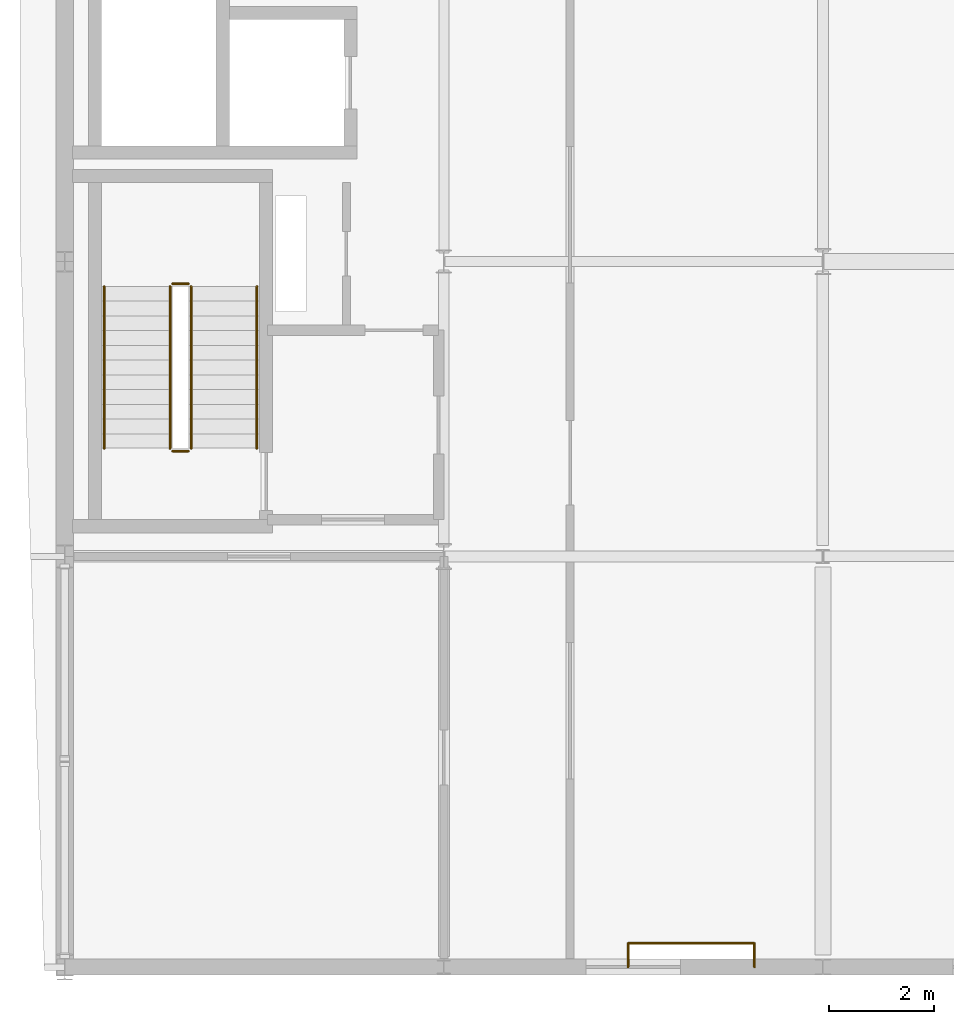
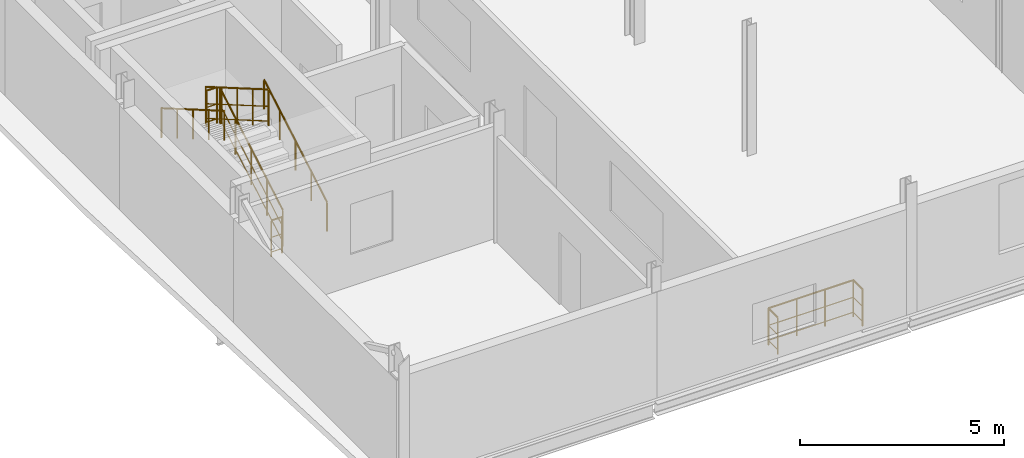
# One storey, part 16 of 17: 9 railings.
"""IFC4 building model written with IfcOpenShell, lengths in metres."""

from ifc_helpers import new_model, si_unit, direction, frame, origin, origin_2d, place, context, subcontext, project, spatial, circle, extrude, material, type_object, element, save


model = new_model("IFC4")

# Units and contexts
model_context = context("Model", 3, precision=1e-05, world=origin(), true_north=direction((0.0, 1.0)))
body_context = subcontext(model_context, "Body", "Model", "MODEL_VIEW")
ifc_project = project(units=[si_unit("LENGTHUNIT", "METRE"), si_unit("AREAUNIT", "SQUARE_METRE"), si_unit("VOLUMEUNIT", "CUBIC_METRE"), si_unit("PLANEANGLEUNIT", "RADIAN"), si_unit("MASSUNIT", "GRAM", prefix="KILO")], contexts=[model_context])

# Site, building, storey
site_placement = place(None, origin())
site = spatial("IfcSite", under=ifc_project, at=site_placement, CompositionType="ELEMENT")
building_placement = place(site_placement, origin())
building = spatial("IfcBuilding", under=site, at=building_placement, Name="Vinh Khe Railworks Police Headquarters", CompositionType="ELEMENT")
storey_placement = place(building_placement, frame((0.0, 0.0, 24.89990234375)))
storey = spatial("IfcBuildingStorey", under=building, at=storey_placement, Name="L06", CompositionType="ELEMENT", Elevation=24.89990234375)

# Railings
ifc_material_1 = material(Name="Painted tubular steel", Category="steel")
railing_type_1 = type_object("IfcRailingType", Name="RL-GUARD-1100", PredefinedType="GUARDRAIL", material=ifc_material_1)
railing_1_placement = place(storey_placement, frame((3.0, 27.25, 0.16259765625)))
element("IfcRailing", 1, at=railing_1_placement, inside=storey, type_object=railing_type_1, Name="L06 ST-01 stair guard 1", PredefinedType="GUARDRAIL", context=body_context, shape_type="SweptSolid", body=[
    extrude(circle(Radius=0.02392578125, at=origin_2d()), frame((0.0, 0.0, 1.076171875), z_axis=(0.0, 0.864890721111, 0.501960198159), x_axis=(-1.0, 0.0, 0.0)), (0.0, 0.0, 1.0), 3.561279296875),
    extrude(circle(Radius=0.01416015625, at=origin_2d()), frame((0.0, 0.0, 0.132080078125), z_axis=(0.0, 0.864890721111, 0.501960198159), x_axis=(-1.0, 0.0, 0.0)), (0.0, 0.0, 1.0), 3.561279296875),
    extrude(circle(Radius=0.01416015625, at=origin_2d()), frame((0.0, 0.0, 0.572021484375), z_axis=(0.0, 0.864890721111, 0.501960198159), x_axis=(-1.0, 0.0, 0.0)), (0.0, 0.0, 1.0), 3.561279296875),
    extrude(circle(Radius=0.02099609375, at=origin_2d()), origin(), (0.0, 0.0, 1.0), 1.052001953125),
    extrude(circle(Radius=0.02099609375, at=origin_2d()), frame((0.0, 0.77001953125, 0.44677734375)), (0.0, 0.0, 1.0), 1.052001953125),
    extrude(circle(Radius=0.02099609375, at=origin_2d()), frame((0.0, 1.5400390625, 0.893798828125)), (0.0, 0.0, 1.0), 1.052001953125),
    extrude(circle(Radius=0.02099609375, at=origin_2d()), frame((0.0, 2.31005859375, 1.3408203125)), (0.0, 0.0, 1.0), 1.052001953125),
    extrude(circle(Radius=0.02099609375, at=origin_2d()), frame((0.0, 3.080078125, 1.78759765625)), (0.0, 0.0, 1.0), 1.052001953125),
])
railing_2_placement = place(storey_placement, frame((2.949951171875, 30.3798828125, 1.9501953125)))
element("IfcRailing", 2, at=railing_2_placement, inside=storey, type_object=railing_type_1, Name="L06 ST-01 stair guard 2", PredefinedType="GUARDRAIL", context=body_context, shape_type="SweptSolid", body=[
    extrude(circle(Radius=0.02392578125, at=origin_2d()), frame((0.0, 0.0, 1.076171875), z_axis=(-1.0, 0.0, 0.0), x_axis=(0.0, -1.0, 0.0)), (0.0, 0.0, 1.0), 0.300048828125),
    extrude(circle(Radius=0.01416015625, at=origin_2d()), frame((0.0, 0.0, 0.132080078125), z_axis=(-1.0, 0.0, 0.0), x_axis=(0.0, -1.0, 0.0)), (0.0, 0.0, 1.0), 0.300048828125),
    extrude(circle(Radius=0.01416015625, at=origin_2d()), frame((0.0, 0.0, 0.572021484375), z_axis=(-1.0, 0.0, 0.0), x_axis=(0.0, -1.0, 0.0)), (0.0, 0.0, 1.0), 0.300048828125),
    extrude(circle(Radius=0.02099609375, at=origin_2d()), origin(), (0.0, 0.0, 1.0), 1.052001953125),
    extrude(circle(Radius=0.02099609375, at=origin_2d()), frame((-0.300048828125, 0.0, 0.0)), (0.0, 0.0, 1.0), 1.052001953125),
])
railing_3_placement = place(storey_placement, frame((2.60009765625, 30.330078125, 2.112548828125)))
element("IfcRailing", 3, at=railing_3_placement, inside=storey, type_object=railing_type_1, Name="L06 ST-01 stair guard 3", PredefinedType="GUARDRAIL", context=body_context, shape_type="SweptSolid", body=[
    extrude(circle(Radius=0.02392578125, at=origin_2d()), frame((0.0, 0.0, 1.076171875), z_axis=(0.0, -0.864890721111, 0.501960198159), x_axis=(1.0, 0.0, 0.0)), (0.0, 0.0, 1.0), 3.561279296875),
    extrude(circle(Radius=0.01416015625, at=origin_2d()), frame((0.0, 0.0, 0.132080078125), z_axis=(0.0, -0.864890721111, 0.501960198159), x_axis=(1.0, 0.0, 0.0)), (0.0, 0.0, 1.0), 3.561279296875),
    extrude(circle(Radius=0.01416015625, at=origin_2d()), frame((0.0, 0.0, 0.572021484375), z_axis=(0.0, -0.864890721111, 0.501960198159), x_axis=(1.0, 0.0, 0.0)), (0.0, 0.0, 1.0), 3.561279296875),
    extrude(circle(Radius=0.02099609375, at=origin_2d()), origin(), (0.0, 0.0, 1.0), 1.052001953125),
    extrude(circle(Radius=0.02099609375, at=origin_2d()), frame((0.0, -0.77001953125, 0.44677734375)), (0.0, 0.0, 1.0), 1.052001953125),
    extrude(circle(Radius=0.02099609375, at=origin_2d()), frame((0.0, -1.5400390625, 0.893798828125)), (0.0, 0.0, 1.0), 1.052001953125),
    extrude(circle(Radius=0.02099609375, at=origin_2d()), frame((0.0, -2.31005859375, 1.3408203125)), (0.0, 0.0, 1.0), 1.052001953125),
    extrude(circle(Radius=0.02099609375, at=origin_2d()), frame((0.0, -3.080078125, 1.78759765625)), (0.0, 0.0, 1.0), 1.052001953125),
])
railing_4_placement = place(storey_placement, frame((2.949951171875, 27.199951171875, 0.0)))
element("IfcRailing", 4, at=railing_4_placement, inside=storey, type_object=railing_type_1, Name="L06 ST-01 stair guard 4", PredefinedType="GUARDRAIL", context=body_context, shape_type="SweptSolid", body=[
    extrude(circle(Radius=0.02392578125, at=origin_2d()), frame((0.0, 0.0, 1.076171875), z_axis=(-1.0, 0.0, 0.0), x_axis=(0.0, -1.0, 0.0)), (0.0, 0.0, 1.0), 0.300048828125),
    extrude(circle(Radius=0.01416015625, at=origin_2d()), frame((0.0, 0.0, 0.132080078125), z_axis=(-1.0, 0.0, 0.0), x_axis=(0.0, -1.0, 0.0)), (0.0, 0.0, 1.0), 0.300048828125),
    extrude(circle(Radius=0.01416015625, at=origin_2d()), frame((0.0, 0.0, 0.572021484375), z_axis=(-1.0, 0.0, 0.0), x_axis=(0.0, -1.0, 0.0)), (0.0, 0.0, 1.0), 0.300048828125),
    extrude(circle(Radius=0.02099609375, at=origin_2d()), origin(), (0.0, 0.0, 1.0), 1.052001953125),
    extrude(circle(Radius=0.02099609375, at=origin_2d()), frame((-0.300048828125, 0.0, 0.0)), (0.0, 0.0, 1.0), 1.052001953125),
])
railing_5_placement = place(storey_placement, frame((11.300048828125, 17.39990234375, 0.0)))
element("IfcRailing", 5, at=railing_5_placement, inside=storey, type_object=railing_type_1, Name="Slab Corner Notch Guard L06-108", PredefinedType="GUARDRAIL", context=body_context, shape_type="SweptSolid", body=[
    extrude(circle(Radius=0.02392578125, at=origin_2d()), frame((0.0, 0.0, 1.09619140625), z_axis=(0.0, 1.0, 0.0), x_axis=(-1.0, 0.0, 0.0)), (0.0, 0.0, 1.0), 0.4501953125),
    extrude(circle(Radius=0.01416015625, at=origin_2d()), frame((0.0, 0.0, 0.134521484375), z_axis=(0.0, 1.0, 0.0), x_axis=(-1.0, 0.0, 0.0)), (0.0, 0.0, 1.0), 0.4501953125),
    extrude(circle(Radius=0.01416015625, at=origin_2d()), frame((0.0, 0.0, 0.58251953125), z_axis=(0.0, 1.0, 0.0), x_axis=(-1.0, 0.0, 0.0)), (0.0, 0.0, 1.0), 0.4501953125),
    extrude(circle(Radius=0.02099609375, at=origin_2d()), origin(), (0.0, 0.0, 1.0), 1.072021484375),
    extrude(circle(Radius=0.02099609375, at=origin_2d()), frame((0.0, 0.4501953125, 0.0)), (0.0, 0.0, 1.0), 1.072021484375),
])
railing_6_placement = place(storey_placement, frame((11.300048828125, 17.85009765625, 0.0)))
element("IfcRailing", 6, at=railing_6_placement, inside=storey, type_object=railing_type_1, Name="Slab Corner Notch Guard L06-109", PredefinedType="GUARDRAIL", context=body_context, shape_type="SweptSolid", body=[
    extrude(circle(Radius=0.02392578125, at=origin_2d()), frame((0.0, 0.0, 1.09619140625), z_axis=(1.0, 0.0, 0.0), x_axis=(0.0, 1.0, 0.0)), (0.0, 0.0, 1.0), 2.39990234375),
    extrude(circle(Radius=0.01416015625, at=origin_2d()), frame((0.0, 0.0, 0.134521484375), z_axis=(1.0, 0.0, 0.0), x_axis=(0.0, 1.0, 0.0)), (0.0, 0.0, 1.0), 2.39990234375),
    extrude(circle(Radius=0.01416015625, at=origin_2d()), frame((0.0, 0.0, 0.58251953125), z_axis=(1.0, 0.0, 0.0), x_axis=(0.0, 1.0, 0.0)), (0.0, 0.0, 1.0), 2.39990234375),
    extrude(circle(Radius=0.02099609375, at=origin_2d()), origin(), (0.0, 0.0, 1.0), 1.072021484375),
    extrude(circle(Radius=0.02099609375, at=origin_2d()), frame((0.800048828125, 0.0, 0.0)), (0.0, 0.0, 1.0), 1.072021484375),
    extrude(circle(Radius=0.02099609375, at=origin_2d()), frame((1.599853515625, 0.0, 0.0)), (0.0, 0.0, 1.0), 1.072021484375),
    extrude(circle(Radius=0.02099609375, at=origin_2d()), frame((2.39990234375, 0.0, 0.0)), (0.0, 0.0, 1.0), 1.072021484375),
])
railing_7_placement = place(storey_placement, frame((13.699951171875, 17.85009765625, 0.0)))
element("IfcRailing", 7, at=railing_7_placement, inside=storey, type_object=railing_type_1, Name="Slab Corner Notch Guard L06-110", PredefinedType="GUARDRAIL", context=body_context, shape_type="SweptSolid", body=[
    extrude(circle(Radius=0.02392578125, at=origin_2d()), frame((0.0, 0.0, 1.09619140625), z_axis=(0.0, -1.0, 0.0), x_axis=(1.0, 0.0, 0.0)), (0.0, 0.0, 1.0), 0.4501953125),
    extrude(circle(Radius=0.01416015625, at=origin_2d()), frame((0.0, 0.0, 0.134521484375), z_axis=(0.0, -1.0, 0.0), x_axis=(1.0, 0.0, 0.0)), (0.0, 0.0, 1.0), 0.4501953125),
    extrude(circle(Radius=0.01416015625, at=origin_2d()), frame((0.0, 0.0, 0.58251953125), z_axis=(0.0, -1.0, 0.0), x_axis=(1.0, 0.0, 0.0)), (0.0, 0.0, 1.0), 0.4501953125),
    extrude(circle(Radius=0.02099609375, at=origin_2d()), origin(), (0.0, 0.0, 1.0), 1.072021484375),
    extrude(circle(Radius=0.02099609375, at=origin_2d()), frame((0.0, -0.4501953125, 0.0)), (0.0, 0.0, 1.0), 1.072021484375),
])
ifc_material_2 = material(Name="Brushed stainless steel", Category="steel")
railing_type_2 = type_object("IfcRailingType", Name="RL-HAND-900", PredefinedType="HANDRAIL", material=ifc_material_2)
railing_8_placement = place(storey_placement, frame((4.25, 27.25, 0.16259765625)))
element("IfcRailing", 8, at=railing_8_placement, inside=storey, type_object=railing_type_2, Name="L06 ST-01 stair handrail 1", PredefinedType="HANDRAIL", context=body_context, shape_type="SweptSolid", body=[
    extrude(circle(Radius=0.02392578125, at=origin_2d()), frame((0.0, 0.0, 0.8759765625), z_axis=(0.0, 0.864890721111, 0.501960198159), x_axis=(-1.0, 0.0, 0.0)), (0.0, 0.0, 1.0), 3.561279296875),
    extrude(circle(Radius=0.02099609375, at=origin_2d()), origin(), (0.0, 0.0, 1.0), 0.851806640625),
    extrude(circle(Radius=0.02099609375, at=origin_2d()), frame((0.0, 0.77001953125, 0.44677734375)), (0.0, 0.0, 1.0), 0.851806640625),
    extrude(circle(Radius=0.02099609375, at=origin_2d()), frame((0.0, 1.5400390625, 0.893798828125)), (0.0, 0.0, 1.0), 0.851806640625),
    extrude(circle(Radius=0.02099609375, at=origin_2d()), frame((0.0, 2.31005859375, 1.3408203125)), (0.0, 0.0, 1.0), 0.851806640625),
    extrude(circle(Radius=0.02099609375, at=origin_2d()), frame((0.0, 3.080078125, 1.78759765625)), (0.0, 0.0, 1.0), 0.851806640625),
])
railing_9_placement = place(storey_placement, frame((1.35009765625, 30.330078125, 2.112548828125)))
element("IfcRailing", 9, at=railing_9_placement, inside=storey, type_object=railing_type_2, Name="L06 ST-01 stair handrail 2", PredefinedType="HANDRAIL", context=body_context, shape_type="SweptSolid", body=[
    extrude(circle(Radius=0.02392578125, at=origin_2d()), frame((0.0, 0.0, 0.8759765625), z_axis=(0.0, -0.864890721111, 0.501960198159), x_axis=(1.0, 0.0, 0.0)), (0.0, 0.0, 1.0), 3.561279296875),
    extrude(circle(Radius=0.02099609375, at=origin_2d()), origin(), (0.0, 0.0, 1.0), 0.851806640625),
    extrude(circle(Radius=0.02099609375, at=origin_2d()), frame((0.0, -0.77001953125, 0.44677734375)), (0.0, 0.0, 1.0), 0.851806640625),
    extrude(circle(Radius=0.02099609375, at=origin_2d()), frame((0.0, -1.5400390625, 0.893798828125)), (0.0, 0.0, 1.0), 0.851806640625),
    extrude(circle(Radius=0.02099609375, at=origin_2d()), frame((0.0, -2.31005859375, 1.3408203125)), (0.0, 0.0, 1.0), 0.851806640625),
    extrude(circle(Radius=0.02099609375, at=origin_2d()), frame((0.0, -3.080078125, 1.78759765625)), (0.0, 0.0, 1.0), 0.851806640625),
])

save(model, "model.ifc")
